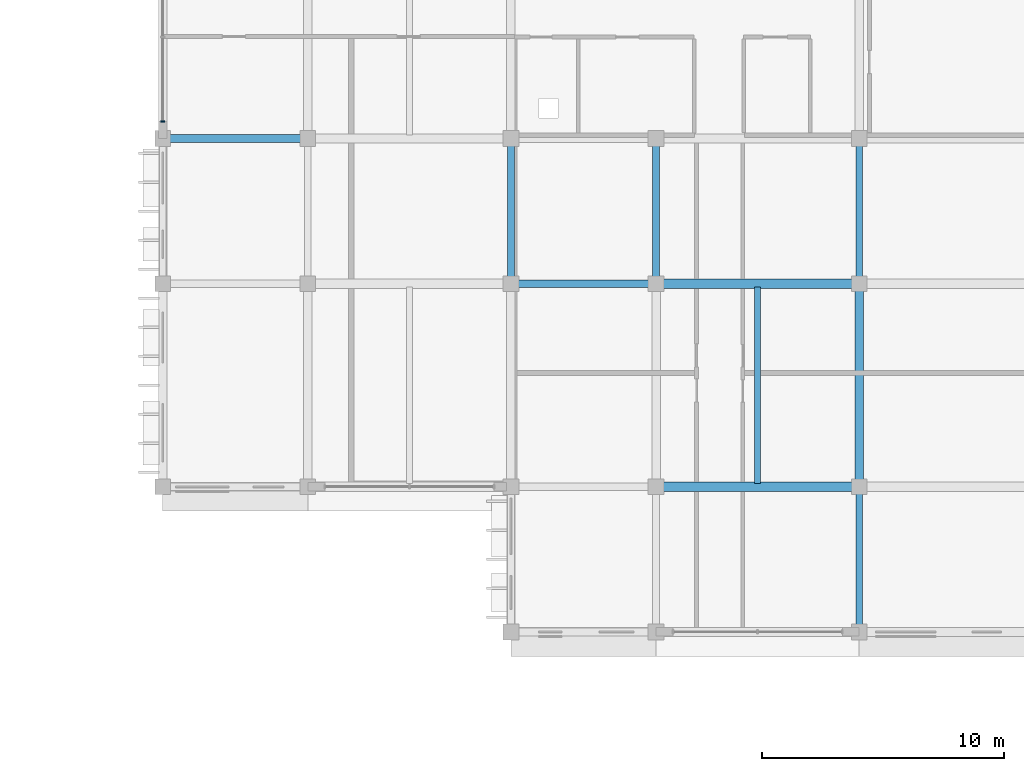
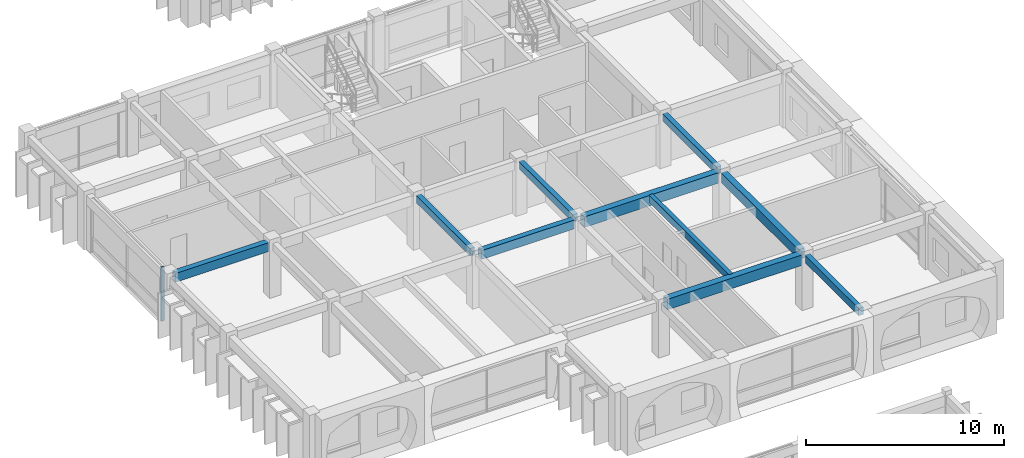
# One storey, part 34 of 88: 10 beams, 1 member, 1 element without a shape of its own.
"""IFC4 building model written with IfcOpenShell, lengths in metres."""

from ifc_helpers import new_model, si_unit, direction, frame, origin, origin_2d, place, context, subcontext, project, spatial, rectangle, extrude, material, material_profile, profile_set, type_object, element, aggregate, save


model = new_model("IFC4")

# Units and contexts
model_context = context("Model", 3, precision=1e-05, world=origin(), true_north=direction((0.0, 1.0)))
body_context = subcontext(model_context, "Body", "Model", "MODEL_VIEW")
ifc_project = project(units=[si_unit("LENGTHUNIT", "METRE"), si_unit("AREAUNIT", "SQUARE_METRE"), si_unit("VOLUMEUNIT", "CUBIC_METRE"), si_unit("PLANEANGLEUNIT", "RADIAN"), si_unit("MASSUNIT", "GRAM", prefix="KILO"), si_unit("THERMODYNAMICTEMPERATUREUNIT", "KELVIN")], contexts=[model_context])

# Site, building, storey
site_placement = place(None, origin())
site = spatial("IfcSite", under=ifc_project, at=site_placement, CompositionType="ELEMENT")
building_placement = place(site_placement, origin())
building = spatial("IfcBuilding", under=site, at=building_placement, Name="Thalorik Housing Commons", CompositionType="ELEMENT")
storey_placement = place(building_placement, frame((0.0, 0.0, 4.5)))
storey = spatial("IfcBuildingStorey", under=building, at=storey_placement, Name="L01", CompositionType="ELEMENT", Elevation=4.5)

# Curtain wall, member
ifc_material_1 = material(Name="Anodised aluminium and solar-control low-E glass", Category="aluminium")
curtain_wall_type = type_object("IfcCurtainWallType", Name="ARC-CW-LOUNGE", PredefinedType="USERDEFINED", material=ifc_material_1)
curtain_wall_placement = place(storey_placement, origin())
curtain_wall = element("IfcCurtainWall", 1, at=curtain_wall_placement, inside=storey, type_object=curtain_wall_type, Name="L01 Curtain Wall CW-RES-L01-D-174", ObjectType="CURTAIN WALL", PredefinedType="USERDEFINED")
ifc_material_2 = material(Name="Anodised aluminium 6063-T6", Category="aluminium")
ifc_material_profile_1 = material_profile(ifc_material_2, rectangle(XDim=0.06494140625, YDim=0.179931640625, at=origin_2d()), Name="ALU MUL 65x180", Category="aluminium")
ifc_profile_set_1 = profile_set([ifc_material_profile_1], Name="Anodised aluminium 6063-T6")
member_type = type_object("IfcMemberType", Name="ARC-CW-MUL-65x180", PredefinedType="MULLION", material=ifc_profile_set_1)
member_placement = place(storey_placement, frame((138.0, 58.300048828125, 0.0), z_axis=(0.0, 0.0, 1.0), x_axis=(0.0, -1.0, 0.0)))
member = element("IfcMember", 2, at=member_placement, type_object=member_type, Name="CW-RES-L01-D-174 Mullion 3", PredefinedType="MULLION", context=body_context, shape_type="SweptSolid", body=[
    extrude(rectangle(XDim=0.06494140625, YDim=0.179931640625, at=origin_2d()), origin(), (0.0, 0.0, 1.0), 3.340087890625),
])
aggregate(curtain_wall, [member])

# Beams
ifc_material_3 = material(Name="Precast concrete C40/50", Category="concrete")
ifc_material_profile_2 = material_profile(ifc_material_3, rectangle(XDim=0.280029296875, YDim=0.449951171875, at=origin_2d()), Name="PC 280x450", Category="concrete")
ifc_profile_set_2 = profile_set([ifc_material_profile_2], Name="Precast concrete C40/50")
beam_type_1 = type_object("IfcBeamType", Name="STR-BM-PC280x450", PredefinedType="BEAM", material=ifc_profile_set_2)
for number, where, z_axis, x_axis, name in (
    (3, (152.39990234375, 51.875, 3.114990234375), (0.0, 1.0, 0.0), (-1.0, 0.0, 0.0), "L01 Beam B-450"),
    (4, (158.39990234375, 51.875, 3.114990234375), (0.0, 1.0, 0.0), (-1.0, 0.0, 0.0), "L01 Beam B-450"),
    (5, (166.800048828125, 37.47509765625, 3.114990234375), (0.0, 1.0, 0.0), (-1.0, 0.0, 0.0), "L01 Beam B-450"),
    (6, (166.800048828125, 51.875, 3.114990234375), (0.0, 1.0, 0.0), (-1.0, 0.0, 0.0), "L01 Beam B-450"),
):
    element("IfcBeam", number, at=place(storey_placement, frame(where, z_axis=z_axis, x_axis=x_axis)), inside=storey, type_object=beam_type_1, Name=name, PredefinedType="BEAM", context=body_context, shape_type="SweptSolid", body=[
        extrude(rectangle(XDim=0.280029296875, YDim=0.449951171875, at=origin_2d()), origin(), (0.0, 0.0, 1.0), 5.449951171875),
    ])
ifc_material_profile_3 = material_profile(ifc_material_3, rectangle(XDim=0.320068359375, YDim=0.550048828125, at=origin_2d()), Name="PC 320x550", Category="concrete")
ifc_profile_set_3 = profile_set([ifc_material_profile_3], Name="Precast concrete C40/50")
beam_type_2 = type_object("IfcBeamType", Name="STR-BM-PC320x550", PredefinedType="BEAM", material=ifc_profile_set_3)
beam_1_placement = place(storey_placement, frame((152.675048828125, 51.60009765625, 3.06494140625), z_axis=(1.0, 0.0, 0.0), x_axis=(0.0, 1.0, 0.0)))
element("IfcBeam", 7, at=beam_1_placement, inside=storey, type_object=beam_type_2, Name="L01 Beam B-550", PredefinedType="BEAM", context=body_context, shape_type="SweptSolid", body=[
    extrude(rectangle(XDim=0.320068359375, YDim=0.550048828125, at=origin_2d()), origin(), (0.0, 0.0, 1.0), 5.449951171875),
])
beam_2_placement = place(storey_placement, frame((138.27490234375, 57.60009765625, 3.06494140625), z_axis=(1.0, 0.0, 0.0), x_axis=(0.0, 1.0, 0.0)))
element("IfcBeam", 8, at=beam_2_placement, inside=storey, type_object=beam_type_2, Name="L01 Beam B-550", PredefinedType="BEAM", context=body_context, shape_type="SweptSolid", body=[
    extrude(rectangle(XDim=0.320068359375, YDim=0.550048828125, at=origin_2d()), origin(), (0.0, 0.0, 1.0), 5.4501953125),
])
ifc_material_profile_4 = material_profile(ifc_material_3, rectangle(XDim=0.35009765625, YDim=0.60009765625, at=origin_2d()), Name="PC 350x600", Category="concrete")
ifc_profile_set_4 = profile_set([ifc_material_profile_4], Name="Precast concrete C40/50")
beam_type_3 = type_object("IfcBeamType", Name="STR-BM-PC350x600", PredefinedType="BEAM", material=ifc_profile_set_4)
beam_3_placement = place(storey_placement, frame((166.800048828125, 43.47509765625, 3.0400390625), z_axis=(0.0, 1.0, 0.0), x_axis=(-1.0, 0.0, 0.0)))
element("IfcBeam", 9, at=beam_3_placement, inside=storey, type_object=beam_type_3, Name="L01 Beam B-600", PredefinedType="BEAM", context=body_context, shape_type="SweptSolid", body=[
    extrude(rectangle(XDim=0.35009765625, YDim=0.60009765625, at=origin_2d()), origin(), (0.0, 0.0, 1.0), 7.849853515625),
])
ifc_material_profile_5 = material_profile(ifc_material_3, rectangle(XDim=0.3798828125, YDim=0.64990234375, at=origin_2d()), Name="PC 380x650", Category="concrete")
ifc_profile_set_5 = profile_set([ifc_material_profile_5], Name="Precast concrete C40/50")
beam_type_4 = type_object("IfcBeamType", Name="STR-BM-PC380x650", PredefinedType="BEAM", material=ifc_profile_set_5)
for number, where, z_axis, x_axis, name in (
    (10, (158.675048828125, 43.199951171875, 3.014892578125), (1.0, 0.0, 0.0), (0.0, 1.0, 0.0), "L01 Beam B-650"),
    (11, (158.675048828125, 51.60009765625, 3.014892578125), (1.0, 0.0, 0.0), (0.0, 1.0, 0.0), "L01 Beam B-650"),
):
    element("IfcBeam", number, at=place(storey_placement, frame(where, z_axis=z_axis, x_axis=x_axis)), inside=storey, type_object=beam_type_4, Name=name, PredefinedType="BEAM", context=body_context, shape_type="SweptSolid", body=[
        extrude(rectangle(XDim=0.3798828125, YDim=0.64990234375, at=origin_2d()), origin(), (0.0, 0.0, 1.0), 7.849853515625),
    ])
ifc_material_profile_6 = material_profile(ifc_material_3, rectangle(XDim=0.239990234375, YDim=0.43994140625, at=origin_2d()), Name="PC JST 240x440", Category="concrete")
ifc_profile_set_6 = profile_set([ifc_material_profile_6], Name="Precast concrete C40/50")
beam_type_5 = type_object("IfcBeamType", Name="STR-JST-PC240x440", PredefinedType="JOIST", material=ifc_profile_set_6)
beam_4_placement = place(storey_placement, frame((162.60009765625, 43.340087890625, 3.1201171875), z_axis=(0.0, 1.0, 0.0), x_axis=(-1.0, 0.0, 0.0)))
element("IfcBeam", 12, at=beam_4_placement, inside=storey, type_object=beam_type_5, Name="L01 Beam J-440", PredefinedType="JOIST", context=body_context, shape_type="SweptSolid", body=[
    extrude(rectangle(XDim=0.239990234375, YDim=0.43994140625, at=origin_2d()), origin(), (0.0, 0.0, 1.0), 8.119873046875),
])

save(model, "model.ifc")
